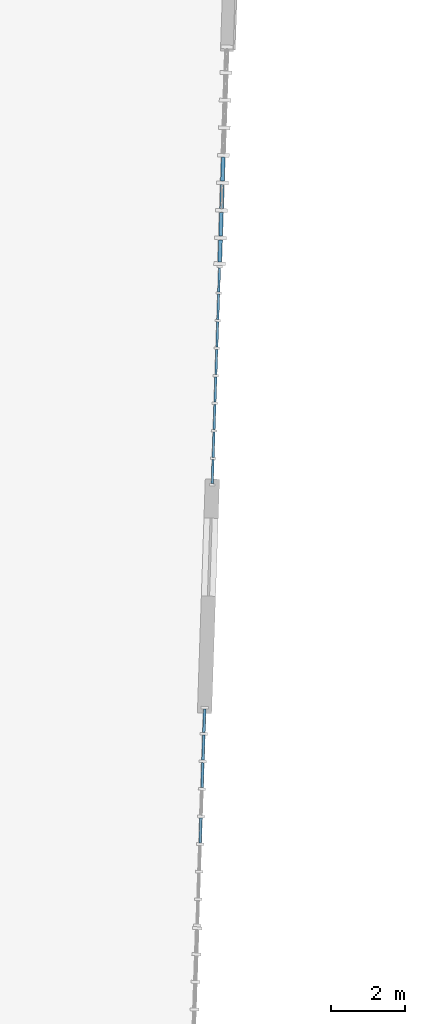
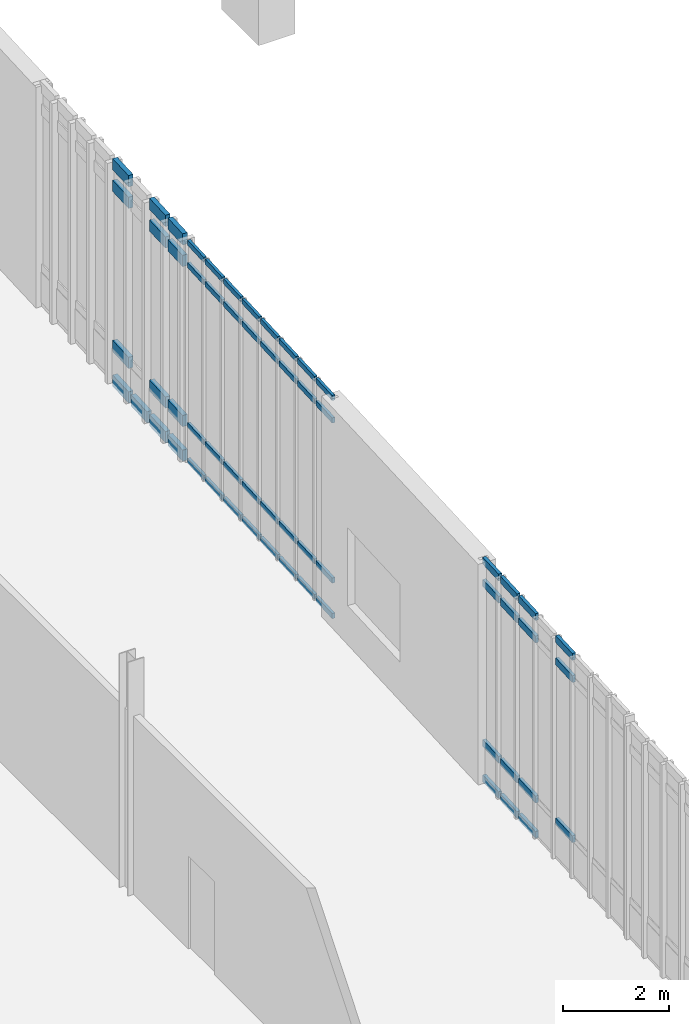
# One storey, part 62 of 127: 60 members, 3 elements without a shape of their own.
"""IFC4 building model written with IfcOpenShell, lengths in metres."""

from ifc_helpers import new_model, si_unit, direction, frame, origin, origin_2d, place, context, subcontext, project, spatial, rectangle, extrude, material, material_profile, profile_set, type_object, element, aggregate, save


model = new_model("IFC4")

# Units and contexts
model_context = context("Model", 3, precision=1e-05, world=origin(), true_north=direction((0.0, 1.0)))
body_context = subcontext(model_context, "Body", "Model", "MODEL_VIEW")
ifc_project = project(units=[si_unit("LENGTHUNIT", "METRE"), si_unit("AREAUNIT", "SQUARE_METRE"), si_unit("VOLUMEUNIT", "CUBIC_METRE"), si_unit("PLANEANGLEUNIT", "RADIAN"), si_unit("MASSUNIT", "GRAM", prefix="KILO")], contexts=[model_context])

# Site, building, storey
site_placement = place(None, origin())
site = spatial("IfcSite", under=ifc_project, at=site_placement, CompositionType="ELEMENT")
building_placement = place(site_placement, origin())
building = spatial("IfcBuilding", under=site, at=building_placement, Name="Larkvane Passage Sports Hall", CompositionType="ELEMENT")
storey_placement = place(building_placement, frame((0.0, 0.0, 5.39990234375)))
storey = spatial("IfcBuildingStorey", under=building, at=storey_placement, Name="L01", CompositionType="ELEMENT", Elevation=5.39990234375)

# Curtain wall, members
ifc_material_1 = material(Name="Thermally broken aluminium and low-E glazing", Category="aluminium")
curtain_wall_type_1 = type_object("IfcCurtainWallType", Name="CW-CLINIC", PredefinedType="USERDEFINED", material=ifc_material_1)
curtain_wall_1_placement = place(storey_placement, origin())
curtain_wall_1 = element("IfcCurtainWall", 1, at=curtain_wall_1_placement, inside=storey, type_object=curtain_wall_type_1, Name="Curtain wall CW5-L01-043", ObjectType="UNITISED CURTAIN WALL", PredefinedType="USERDEFINED")
ifc_material_2 = material(Name="Anodised aluminium 6063-T6", Category="aluminium")
ifc_material_profile_1 = material_profile(ifc_material_2, rectangle(XDim=0.10009765625, YDim=0.260009765625, at=origin_2d()), Name="ALU-TRN-100x260")
ifc_profile_set_1 = profile_set([ifc_material_profile_1], Name="Anodised aluminium 6063-T6")
member_type_1 = type_object("IfcMemberType", Name="CW-TRN-100x260", PredefinedType="USERDEFINED", material=ifc_profile_set_1)
member_1_placement = place(storey_placement, frame((101.6982421875, 90.25, 0.050048828125), z_axis=(-0.033466782751, -0.999439830331, 0.0), x_axis=(0.999439830331, -0.033466782751, 0.0)))
member_1 = element("IfcMember", 2, at=member_1_placement, type_object=member_type_1, Name="CW-05 transom 5.1", ObjectType="TRANSOM", PredefinedType="USERDEFINED", context=body_context, shape_type="SweptSolid", body=[
    extrude(rectangle(XDim=0.10009765625, YDim=0.260009765625, at=origin_2d()), origin(), (0.0, 0.0, 1.0), 0.641845703125),
])
member_2_placement = place(storey_placement, frame((101.6982421875, 90.25, 0.85009765625), z_axis=(-0.033466782751, -0.999439830331, 0.0), x_axis=(0.999439830331, -0.033466782751, 0.0)))
member_2 = element("IfcMember", 3, at=member_2_placement, type_object=member_type_1, Name="CW-05 transom 5.2", ObjectType="TRANSOM", PredefinedType="USERDEFINED", context=body_context, shape_type="SweptSolid", body=[
    extrude(rectangle(XDim=0.10009765625, YDim=0.260009765625, at=origin_2d()), origin(), (0.0, 0.0, 1.0), 0.641845703125),
])
member_3_placement = place(storey_placement, frame((101.6982421875, 90.25, 4.550048828125), z_axis=(-0.033466782751, -0.999439830331, 0.0), x_axis=(0.999439830331, -0.033466782751, 0.0)))
member_3 = element("IfcMember", 4, at=member_3_placement, type_object=member_type_1, Name="CW-05 transom 5.3", ObjectType="TRANSOM", PredefinedType="USERDEFINED", context=body_context, shape_type="SweptSolid", body=[
    extrude(rectangle(XDim=0.10009765625, YDim=0.260009765625, at=origin_2d()), origin(), (0.0, 0.0, 1.0), 0.641845703125),
])
member_4_placement = place(storey_placement, frame((101.6982421875, 90.25, 5.050048828125), z_axis=(-0.033466782751, -0.999439830331, 0.0), x_axis=(0.999439830331, -0.033466782751, 0.0)))
member_4 = element("IfcMember", 5, at=member_4_placement, type_object=member_type_1, Name="CW-05 transom 5.4", ObjectType="TRANSOM", PredefinedType="USERDEFINED", context=body_context, shape_type="SweptSolid", body=[
    extrude(rectangle(XDim=0.10009765625, YDim=0.260009765625, at=origin_2d()), origin(), (0.0, 0.0, 1.0), 0.641845703125),
])
member_5_placement = place(storey_placement, frame((101.67333984375, 89.50830078125, 0.050048828125), z_axis=(-0.03384665387, -0.999427037868, 0.0), x_axis=(0.999427037868, -0.03384665387, 0.0)))
member_5 = element("IfcMember", 6, at=member_5_placement, type_object=member_type_1, Name="CW-05 transom 6.1", ObjectType="TRANSOM", PredefinedType="USERDEFINED", context=body_context, shape_type="SweptSolid", body=[
    extrude(rectangle(XDim=0.10009765625, YDim=0.260009765625, at=origin_2d()), origin(), (0.0, 0.0, 1.0), 0.64208984375),
])
member_6_placement = place(storey_placement, frame((101.6484375, 88.7666015625, 0.050048828125), z_axis=(-0.03384665387, -0.999427037868, 0.0), x_axis=(0.999427037868, -0.03384665387, 0.0)))
member_6 = element("IfcMember", 7, at=member_6_placement, type_object=member_type_1, Name="CW-05 transom 7.1", ObjectType="TRANSOM", PredefinedType="USERDEFINED", context=body_context, shape_type="SweptSolid", body=[
    extrude(rectangle(XDim=0.10009765625, YDim=0.260009765625, at=origin_2d()), origin(), (0.0, 0.0, 1.0), 0.64208984375),
])
member_7_placement = place(storey_placement, frame((101.6484375, 88.7666015625, 0.85009765625), z_axis=(-0.03384665387, -0.999427037868, 0.0), x_axis=(0.999427037868, -0.03384665387, 0.0)))
member_7 = element("IfcMember", 8, at=member_7_placement, type_object=member_type_1, Name="CW-05 transom 7.2", ObjectType="TRANSOM", PredefinedType="USERDEFINED", context=body_context, shape_type="SweptSolid", body=[
    extrude(rectangle(XDim=0.10009765625, YDim=0.260009765625, at=origin_2d()), origin(), (0.0, 0.0, 1.0), 0.64208984375),
])
member_8_placement = place(storey_placement, frame((101.6484375, 88.7666015625, 4.550048828125), z_axis=(-0.03384665387, -0.999427037868, 0.0), x_axis=(0.999427037868, -0.03384665387, 0.0)))
member_8 = element("IfcMember", 9, at=member_8_placement, type_object=member_type_1, Name="CW-05 transom 7.3", ObjectType="TRANSOM", PredefinedType="USERDEFINED", context=body_context, shape_type="SweptSolid", body=[
    extrude(rectangle(XDim=0.10009765625, YDim=0.260009765625, at=origin_2d()), origin(), (0.0, 0.0, 1.0), 0.64208984375),
])
member_9_placement = place(storey_placement, frame((101.6484375, 88.7666015625, 5.050048828125), z_axis=(-0.03384665387, -0.999427037868, 0.0), x_axis=(0.999427037868, -0.03384665387, 0.0)))
member_9 = element("IfcMember", 10, at=member_9_placement, type_object=member_type_1, Name="CW-05 transom 7.4", ObjectType="TRANSOM", PredefinedType="USERDEFINED", context=body_context, shape_type="SweptSolid", body=[
    extrude(rectangle(XDim=0.10009765625, YDim=0.260009765625, at=origin_2d()), origin(), (0.0, 0.0, 1.0), 0.64208984375),
])
member_10_placement = place(storey_placement, frame((101.623291015625, 88.02490234375, 0.050048828125), z_axis=(-0.033822980942, -0.999427839296, 0.0), x_axis=(0.999427839296, -0.033822980942, 0.0)))
member_10 = element("IfcMember", 11, at=member_10_placement, type_object=member_type_1, Name="CW-05 transom 8.1", ObjectType="TRANSOM", PredefinedType="USERDEFINED", context=body_context, shape_type="SweptSolid", body=[
    extrude(rectangle(XDim=0.10009765625, YDim=0.260009765625, at=origin_2d()), origin(), (0.0, 0.0, 1.0), 0.591796875),
])
member_11_placement = place(storey_placement, frame((101.623291015625, 88.02490234375, 0.85009765625), z_axis=(-0.033822980942, -0.999427839296, 0.0), x_axis=(0.999427839296, -0.033822980942, 0.0)))
member_11 = element("IfcMember", 12, at=member_11_placement, type_object=member_type_1, Name="CW-05 transom 8.2", ObjectType="TRANSOM", PredefinedType="USERDEFINED", context=body_context, shape_type="SweptSolid", body=[
    extrude(rectangle(XDim=0.10009765625, YDim=0.260009765625, at=origin_2d()), origin(), (0.0, 0.0, 1.0), 0.591796875),
])
member_12_placement = place(storey_placement, frame((101.623291015625, 88.02490234375, 4.550048828125), z_axis=(-0.033822980942, -0.999427839296, 0.0), x_axis=(0.999427839296, -0.033822980942, 0.0)))
member_12 = element("IfcMember", 13, at=member_12_placement, type_object=member_type_1, Name="CW-05 transom 8.3", ObjectType="TRANSOM", PredefinedType="USERDEFINED", context=body_context, shape_type="SweptSolid", body=[
    extrude(rectangle(XDim=0.10009765625, YDim=0.260009765625, at=origin_2d()), origin(), (0.0, 0.0, 1.0), 0.591796875),
])
member_13_placement = place(storey_placement, frame((101.623291015625, 88.02490234375, 5.050048828125), z_axis=(-0.033822980942, -0.999427839296, 0.0), x_axis=(0.999427839296, -0.033822980942, 0.0)))
member_13 = element("IfcMember", 14, at=member_13_placement, type_object=member_type_1, Name="CW-05 transom 8.4", ObjectType="TRANSOM", PredefinedType="USERDEFINED", context=body_context, shape_type="SweptSolid", body=[
    extrude(rectangle(XDim=0.10009765625, YDim=0.260009765625, at=origin_2d()), origin(), (0.0, 0.0, 1.0), 0.591796875),
])
aggregate(curtain_wall_1, [member_1, member_2, member_3, member_4, member_5, member_6, member_7, member_8, member_9, member_10, member_11, member_12, member_13])

curtain_wall_type_2 = type_object("IfcCurtainWallType", Name="CW-UNIT-COURT", PredefinedType="USERDEFINED", material=ifc_material_1)
curtain_wall_2_placement = place(storey_placement, origin())
curtain_wall_2 = element("IfcCurtainWall", 15, at=curtain_wall_2_placement, inside=storey, type_object=curtain_wall_type_2, Name="Curtain wall CW5-L01-044", ObjectType="UNITISED CURTAIN WALL", PredefinedType="USERDEFINED")
ifc_material_profile_2 = material_profile(ifc_material_2, rectangle(XDim=0.06005859375, YDim=0.1201171875, at=origin_2d()), Name="ALU-TRN-60x120")
ifc_profile_set_2 = profile_set([ifc_material_profile_2], Name="Anodised aluminium 6063-T6")
member_type_2 = type_object("IfcMemberType", Name="CW-TRN-60x120", PredefinedType="USERDEFINED", material=ifc_profile_set_2)
member_14_placement = place(storey_placement, frame((101.597900390625, 87.2734375, 0.030029296875), z_axis=(-0.033688731694, -0.999432373579, 0.0), x_axis=(0.999432373579, -0.033688731694, 0.0)))
member_14 = element("IfcMember", 16, at=member_14_placement, type_object=member_type_2, Name="CW-01 transom 1.1", ObjectType="TRANSOM", PredefinedType="USERDEFINED", context=body_context, shape_type="SweptSolid", body=[
    extrude(rectangle(XDim=0.06005859375, YDim=0.1201171875, at=origin_2d()), origin(), (0.0, 0.0, 1.0), 0.65234375),
])
member_15_placement = place(storey_placement, frame((101.597900390625, 87.2734375, 0.85009765625), z_axis=(-0.033688731694, -0.999432373579, 0.0), x_axis=(0.999432373579, -0.033688731694, 0.0)))
member_15 = element("IfcMember", 17, at=member_15_placement, type_object=member_type_2, Name="CW-01 transom 1.2", ObjectType="TRANSOM", PredefinedType="USERDEFINED", context=body_context, shape_type="SweptSolid", body=[
    extrude(rectangle(XDim=0.06005859375, YDim=0.1201171875, at=origin_2d()), origin(), (0.0, 0.0, 1.0), 0.65234375),
])
member_16_placement = place(storey_placement, frame((101.597900390625, 87.2734375, 4.550048828125), z_axis=(-0.033688731694, -0.999432373579, 0.0), x_axis=(0.999432373579, -0.033688731694, 0.0)))
member_16 = element("IfcMember", 18, at=member_16_placement, type_object=member_type_2, Name="CW-01 transom 1.3", ObjectType="TRANSOM", PredefinedType="USERDEFINED", context=body_context, shape_type="SweptSolid", body=[
    extrude(rectangle(XDim=0.06005859375, YDim=0.1201171875, at=origin_2d()), origin(), (0.0, 0.0, 1.0), 0.65234375),
])
member_17_placement = place(storey_placement, frame((101.597900390625, 87.2734375, 5.070068359375), z_axis=(-0.033688731694, -0.999432373579, 0.0), x_axis=(0.999432373579, -0.033688731694, 0.0)))
member_17 = element("IfcMember", 19, at=member_17_placement, type_object=member_type_2, Name="CW-01 transom 1.4", ObjectType="TRANSOM", PredefinedType="USERDEFINED", context=body_context, shape_type="SweptSolid", body=[
    extrude(rectangle(XDim=0.06005859375, YDim=0.1201171875, at=origin_2d()), origin(), (0.0, 0.0, 1.0), 0.65234375),
])
member_18_placement = place(storey_placement, frame((101.573974609375, 86.561767578125, 0.030029296875), z_axis=(-0.033636522884, -0.999434132061, 0.0), x_axis=(0.999434132061, -0.033636522884, 0.0)))
member_18 = element("IfcMember", 20, at=member_18_placement, type_object=member_type_2, Name="CW-01 transom 2.1", ObjectType="TRANSOM", PredefinedType="USERDEFINED", context=body_context, shape_type="SweptSolid", body=[
    extrude(rectangle(XDim=0.06005859375, YDim=0.1201171875, at=origin_2d()), origin(), (0.0, 0.0, 1.0), 0.682373046875),
])
member_19_placement = place(storey_placement, frame((101.573974609375, 86.561767578125, 0.85009765625), z_axis=(-0.033636522884, -0.999434132061, 0.0), x_axis=(0.999434132061, -0.033636522884, 0.0)))
member_19 = element("IfcMember", 21, at=member_19_placement, type_object=member_type_2, Name="CW-01 transom 2.2", ObjectType="TRANSOM", PredefinedType="USERDEFINED", context=body_context, shape_type="SweptSolid", body=[
    extrude(rectangle(XDim=0.06005859375, YDim=0.1201171875, at=origin_2d()), origin(), (0.0, 0.0, 1.0), 0.682373046875),
])
member_20_placement = place(storey_placement, frame((101.573974609375, 86.561767578125, 4.550048828125), z_axis=(-0.033636522884, -0.999434132061, 0.0), x_axis=(0.999434132061, -0.033636522884, 0.0)))
member_20 = element("IfcMember", 22, at=member_20_placement, type_object=member_type_2, Name="CW-01 transom 2.3", ObjectType="TRANSOM", PredefinedType="USERDEFINED", context=body_context, shape_type="SweptSolid", body=[
    extrude(rectangle(XDim=0.06005859375, YDim=0.1201171875, at=origin_2d()), origin(), (0.0, 0.0, 1.0), 0.682373046875),
])
member_21_placement = place(storey_placement, frame((101.573974609375, 86.561767578125, 5.070068359375), z_axis=(-0.033636522884, -0.999434132061, 0.0), x_axis=(0.999434132061, -0.033636522884, 0.0)))
member_21 = element("IfcMember", 23, at=member_21_placement, type_object=member_type_2, Name="CW-01 transom 2.4", ObjectType="TRANSOM", PredefinedType="USERDEFINED", context=body_context, shape_type="SweptSolid", body=[
    extrude(rectangle(XDim=0.06005859375, YDim=0.1201171875, at=origin_2d()), origin(), (0.0, 0.0, 1.0), 0.682373046875),
])
member_22_placement = place(storey_placement, frame((101.549072265625, 85.820068359375, 0.030029296875), z_axis=(-0.033636522884, -0.999434132061, 0.0), x_axis=(0.999434132061, -0.033636522884, 0.0)))
member_22 = element("IfcMember", 24, at=member_22_placement, type_object=member_type_2, Name="CW-01 transom 3.1", ObjectType="TRANSOM", PredefinedType="USERDEFINED", context=body_context, shape_type="SweptSolid", body=[
    extrude(rectangle(XDim=0.06005859375, YDim=0.1201171875, at=origin_2d()), origin(), (0.0, 0.0, 1.0), 0.682373046875),
])
member_23_placement = place(storey_placement, frame((101.549072265625, 85.820068359375, 0.85009765625), z_axis=(-0.033636522884, -0.999434132061, 0.0), x_axis=(0.999434132061, -0.033636522884, 0.0)))
member_23 = element("IfcMember", 25, at=member_23_placement, type_object=member_type_2, Name="CW-01 transom 3.2", ObjectType="TRANSOM", PredefinedType="USERDEFINED", context=body_context, shape_type="SweptSolid", body=[
    extrude(rectangle(XDim=0.06005859375, YDim=0.1201171875, at=origin_2d()), origin(), (0.0, 0.0, 1.0), 0.682373046875),
])
member_24_placement = place(storey_placement, frame((101.549072265625, 85.820068359375, 4.550048828125), z_axis=(-0.033636522884, -0.999434132061, 0.0), x_axis=(0.999434132061, -0.033636522884, 0.0)))
member_24 = element("IfcMember", 26, at=member_24_placement, type_object=member_type_2, Name="CW-01 transom 3.3", ObjectType="TRANSOM", PredefinedType="USERDEFINED", context=body_context, shape_type="SweptSolid", body=[
    extrude(rectangle(XDim=0.06005859375, YDim=0.1201171875, at=origin_2d()), origin(), (0.0, 0.0, 1.0), 0.682373046875),
])
member_25_placement = place(storey_placement, frame((101.549072265625, 85.820068359375, 5.070068359375), z_axis=(-0.033636522884, -0.999434132061, 0.0), x_axis=(0.999434132061, -0.033636522884, 0.0)))
member_25 = element("IfcMember", 27, at=member_25_placement, type_object=member_type_2, Name="CW-01 transom 3.4", ObjectType="TRANSOM", PredefinedType="USERDEFINED", context=body_context, shape_type="SweptSolid", body=[
    extrude(rectangle(XDim=0.06005859375, YDim=0.1201171875, at=origin_2d()), origin(), (0.0, 0.0, 1.0), 0.682373046875),
])
member_26_placement = place(storey_placement, frame((101.52392578125, 85.078369140625, 0.030029296875), z_axis=(-0.033648556711, -0.999433726983, 0.0), x_axis=(0.999433726983, -0.033648556711, 0.0)))
member_26 = element("IfcMember", 28, at=member_26_placement, type_object=member_type_2, Name="CW-01 transom 4.1", ObjectType="TRANSOM", PredefinedType="USERDEFINED", context=body_context, shape_type="SweptSolid", body=[
    extrude(rectangle(XDim=0.06005859375, YDim=0.1201171875, at=origin_2d()), origin(), (0.0, 0.0, 1.0), 0.68212890625),
])
member_27_placement = place(storey_placement, frame((101.52392578125, 85.078369140625, 0.85009765625), z_axis=(-0.033648556711, -0.999433726983, 0.0), x_axis=(0.999433726983, -0.033648556711, 0.0)))
member_27 = element("IfcMember", 29, at=member_27_placement, type_object=member_type_2, Name="CW-01 transom 4.2", ObjectType="TRANSOM", PredefinedType="USERDEFINED", context=body_context, shape_type="SweptSolid", body=[
    extrude(rectangle(XDim=0.06005859375, YDim=0.1201171875, at=origin_2d()), origin(), (0.0, 0.0, 1.0), 0.68212890625),
])
member_28_placement = place(storey_placement, frame((101.52392578125, 85.078369140625, 4.550048828125), z_axis=(-0.033648556711, -0.999433726983, 0.0), x_axis=(0.999433726983, -0.033648556711, 0.0)))
member_28 = element("IfcMember", 30, at=member_28_placement, type_object=member_type_2, Name="CW-01 transom 4.3", ObjectType="TRANSOM", PredefinedType="USERDEFINED", context=body_context, shape_type="SweptSolid", body=[
    extrude(rectangle(XDim=0.06005859375, YDim=0.1201171875, at=origin_2d()), origin(), (0.0, 0.0, 1.0), 0.68212890625),
])
member_29_placement = place(storey_placement, frame((101.52392578125, 85.078369140625, 5.070068359375), z_axis=(-0.033648556711, -0.999433726983, 0.0), x_axis=(0.999433726983, -0.033648556711, 0.0)))
member_29 = element("IfcMember", 31, at=member_29_placement, type_object=member_type_2, Name="CW-01 transom 4.4", ObjectType="TRANSOM", PredefinedType="USERDEFINED", context=body_context, shape_type="SweptSolid", body=[
    extrude(rectangle(XDim=0.06005859375, YDim=0.1201171875, at=origin_2d()), origin(), (0.0, 0.0, 1.0), 0.68212890625),
])
member_30_placement = place(storey_placement, frame((101.4990234375, 84.336669921875, 0.030029296875), z_axis=(-0.033648556711, -0.999433726983, 0.0), x_axis=(0.999433726983, -0.033648556711, 0.0)))
member_30 = element("IfcMember", 32, at=member_30_placement, type_object=member_type_2, Name="CW-01 transom 5.1", ObjectType="TRANSOM", PredefinedType="USERDEFINED", context=body_context, shape_type="SweptSolid", body=[
    extrude(rectangle(XDim=0.06005859375, YDim=0.1201171875, at=origin_2d()), origin(), (0.0, 0.0, 1.0), 0.68212890625),
])
member_31_placement = place(storey_placement, frame((101.4990234375, 84.336669921875, 0.85009765625), z_axis=(-0.033648556711, -0.999433726983, 0.0), x_axis=(0.999433726983, -0.033648556711, 0.0)))
member_31 = element("IfcMember", 33, at=member_31_placement, type_object=member_type_2, Name="CW-01 transom 5.2", ObjectType="TRANSOM", PredefinedType="USERDEFINED", context=body_context, shape_type="SweptSolid", body=[
    extrude(rectangle(XDim=0.06005859375, YDim=0.1201171875, at=origin_2d()), origin(), (0.0, 0.0, 1.0), 0.68212890625),
])
member_32_placement = place(storey_placement, frame((101.4990234375, 84.336669921875, 4.550048828125), z_axis=(-0.033648556711, -0.999433726983, 0.0), x_axis=(0.999433726983, -0.033648556711, 0.0)))
member_32 = element("IfcMember", 34, at=member_32_placement, type_object=member_type_2, Name="CW-01 transom 5.3", ObjectType="TRANSOM", PredefinedType="USERDEFINED", context=body_context, shape_type="SweptSolid", body=[
    extrude(rectangle(XDim=0.06005859375, YDim=0.1201171875, at=origin_2d()), origin(), (0.0, 0.0, 1.0), 0.68212890625),
])
member_33_placement = place(storey_placement, frame((101.4990234375, 84.336669921875, 5.070068359375), z_axis=(-0.033648556711, -0.999433726983, 0.0), x_axis=(0.999433726983, -0.033648556711, 0.0)))
member_33 = element("IfcMember", 35, at=member_33_placement, type_object=member_type_2, Name="CW-01 transom 5.4", ObjectType="TRANSOM", PredefinedType="USERDEFINED", context=body_context, shape_type="SweptSolid", body=[
    extrude(rectangle(XDim=0.06005859375, YDim=0.1201171875, at=origin_2d()), origin(), (0.0, 0.0, 1.0), 0.68212890625),
])
member_34_placement = place(storey_placement, frame((101.473876953125, 83.594970703125, 0.030029296875), z_axis=(-0.033648556711, -0.999433726983, 0.0), x_axis=(0.999433726983, -0.033648556711, 0.0)))
member_34 = element("IfcMember", 36, at=member_34_placement, type_object=member_type_2, Name="CW-01 transom 6.1", ObjectType="TRANSOM", PredefinedType="USERDEFINED", context=body_context, shape_type="SweptSolid", body=[
    extrude(rectangle(XDim=0.06005859375, YDim=0.1201171875, at=origin_2d()), origin(), (0.0, 0.0, 1.0), 0.68212890625),
])
member_35_placement = place(storey_placement, frame((101.473876953125, 83.594970703125, 0.85009765625), z_axis=(-0.033648556711, -0.999433726983, 0.0), x_axis=(0.999433726983, -0.033648556711, 0.0)))
member_35 = element("IfcMember", 37, at=member_35_placement, type_object=member_type_2, Name="CW-01 transom 6.2", ObjectType="TRANSOM", PredefinedType="USERDEFINED", context=body_context, shape_type="SweptSolid", body=[
    extrude(rectangle(XDim=0.06005859375, YDim=0.1201171875, at=origin_2d()), origin(), (0.0, 0.0, 1.0), 0.68212890625),
])
member_36_placement = place(storey_placement, frame((101.473876953125, 83.594970703125, 4.550048828125), z_axis=(-0.033648556711, -0.999433726983, 0.0), x_axis=(0.999433726983, -0.033648556711, 0.0)))
member_36 = element("IfcMember", 38, at=member_36_placement, type_object=member_type_2, Name="CW-01 transom 6.3", ObjectType="TRANSOM", PredefinedType="USERDEFINED", context=body_context, shape_type="SweptSolid", body=[
    extrude(rectangle(XDim=0.06005859375, YDim=0.1201171875, at=origin_2d()), origin(), (0.0, 0.0, 1.0), 0.68212890625),
])
member_37_placement = place(storey_placement, frame((101.473876953125, 83.594970703125, 5.070068359375), z_axis=(-0.033648556711, -0.999433726983, 0.0), x_axis=(0.999433726983, -0.033648556711, 0.0)))
member_37 = element("IfcMember", 39, at=member_37_placement, type_object=member_type_2, Name="CW-01 transom 6.4", ObjectType="TRANSOM", PredefinedType="USERDEFINED", context=body_context, shape_type="SweptSolid", body=[
    extrude(rectangle(XDim=0.06005859375, YDim=0.1201171875, at=origin_2d()), origin(), (0.0, 0.0, 1.0), 0.68212890625),
])
member_38_placement = place(storey_placement, frame((101.448974609375, 82.853271484375, 0.030029296875), z_axis=(-0.033648556711, -0.999433726983, 0.0), x_axis=(0.999433726983, -0.033648556711, 0.0)))
member_38 = element("IfcMember", 40, at=member_38_placement, type_object=member_type_2, Name="CW-01 transom 7.1", ObjectType="TRANSOM", PredefinedType="USERDEFINED", context=body_context, shape_type="SweptSolid", body=[
    extrude(rectangle(XDim=0.06005859375, YDim=0.1201171875, at=origin_2d()), origin(), (0.0, 0.0, 1.0), 0.68212890625),
])
member_39_placement = place(storey_placement, frame((101.448974609375, 82.853271484375, 0.85009765625), z_axis=(-0.033648556711, -0.999433726983, 0.0), x_axis=(0.999433726983, -0.033648556711, 0.0)))
member_39 = element("IfcMember", 41, at=member_39_placement, type_object=member_type_2, Name="CW-01 transom 7.2", ObjectType="TRANSOM", PredefinedType="USERDEFINED", context=body_context, shape_type="SweptSolid", body=[
    extrude(rectangle(XDim=0.06005859375, YDim=0.1201171875, at=origin_2d()), origin(), (0.0, 0.0, 1.0), 0.68212890625),
])
member_40_placement = place(storey_placement, frame((101.448974609375, 82.853271484375, 4.550048828125), z_axis=(-0.033648556711, -0.999433726983, 0.0), x_axis=(0.999433726983, -0.033648556711, 0.0)))
member_40 = element("IfcMember", 42, at=member_40_placement, type_object=member_type_2, Name="CW-01 transom 7.3", ObjectType="TRANSOM", PredefinedType="USERDEFINED", context=body_context, shape_type="SweptSolid", body=[
    extrude(rectangle(XDim=0.06005859375, YDim=0.1201171875, at=origin_2d()), origin(), (0.0, 0.0, 1.0), 0.68212890625),
])
member_41_placement = place(storey_placement, frame((101.448974609375, 82.853271484375, 5.070068359375), z_axis=(-0.033648556711, -0.999433726983, 0.0), x_axis=(0.999433726983, -0.033648556711, 0.0)))
member_41 = element("IfcMember", 43, at=member_41_placement, type_object=member_type_2, Name="CW-01 transom 7.4", ObjectType="TRANSOM", PredefinedType="USERDEFINED", context=body_context, shape_type="SweptSolid", body=[
    extrude(rectangle(XDim=0.06005859375, YDim=0.1201171875, at=origin_2d()), origin(), (0.0, 0.0, 1.0), 0.68212890625),
])
member_42_placement = place(storey_placement, frame((101.424072265625, 82.111572265625, 0.030029296875), z_axis=(-0.03370133959, -0.999431948514, 0.0), x_axis=(0.999431948514, -0.03370133959, 0.0)))
member_42 = element("IfcMember", 44, at=member_42_placement, type_object=member_type_2, Name="CW-01 transom 8.1", ObjectType="TRANSOM", PredefinedType="USERDEFINED", context=body_context, shape_type="SweptSolid", body=[
    extrude(rectangle(XDim=0.06005859375, YDim=0.1201171875, at=origin_2d()), origin(), (0.0, 0.0, 1.0), 0.652099609375),
])
member_43_placement = place(storey_placement, frame((101.424072265625, 82.111572265625, 0.85009765625), z_axis=(-0.03370133959, -0.999431948514, 0.0), x_axis=(0.999431948514, -0.03370133959, 0.0)))
member_43 = element("IfcMember", 45, at=member_43_placement, type_object=member_type_2, Name="CW-01 transom 8.2", ObjectType="TRANSOM", PredefinedType="USERDEFINED", context=body_context, shape_type="SweptSolid", body=[
    extrude(rectangle(XDim=0.06005859375, YDim=0.1201171875, at=origin_2d()), origin(), (0.0, 0.0, 1.0), 0.652099609375),
])
member_44_placement = place(storey_placement, frame((101.424072265625, 82.111572265625, 4.550048828125), z_axis=(-0.03370133959, -0.999431948514, 0.0), x_axis=(0.999431948514, -0.03370133959, 0.0)))
member_44 = element("IfcMember", 46, at=member_44_placement, type_object=member_type_2, Name="CW-01 transom 8.3", ObjectType="TRANSOM", PredefinedType="USERDEFINED", context=body_context, shape_type="SweptSolid", body=[
    extrude(rectangle(XDim=0.06005859375, YDim=0.1201171875, at=origin_2d()), origin(), (0.0, 0.0, 1.0), 0.652099609375),
])
member_45_placement = place(storey_placement, frame((101.424072265625, 82.111572265625, 5.070068359375), z_axis=(-0.03370133959, -0.999431948514, 0.0), x_axis=(0.999431948514, -0.03370133959, 0.0)))
member_45 = element("IfcMember", 47, at=member_45_placement, type_object=member_type_2, Name="CW-01 transom 8.4", ObjectType="TRANSOM", PredefinedType="USERDEFINED", context=body_context, shape_type="SweptSolid", body=[
    extrude(rectangle(XDim=0.06005859375, YDim=0.1201171875, at=origin_2d()), origin(), (0.0, 0.0, 1.0), 0.652099609375),
])
aggregate(curtain_wall_2, [member_14, member_15, member_16, member_17, member_18, member_19, member_20, member_21, member_22, member_23, member_24, member_25, member_26, member_27, member_28, member_29, member_30, member_31, member_32, member_33, member_34, member_35, member_36, member_37, member_38, member_39, member_40, member_41, member_42, member_43, member_44, member_45])

curtain_wall_type_3 = type_object("IfcCurtainWallType", Name="CW-UNIT-VEIL", PredefinedType="USERDEFINED", material=ifc_material_1)
curtain_wall_3_placement = place(storey_placement, origin())
curtain_wall_3 = element("IfcCurtainWall", 48, at=curtain_wall_3_placement, inside=storey, type_object=curtain_wall_type_3, Name="Curtain wall CW5-L01-045", ObjectType="UNITISED CURTAIN WALL", PredefinedType="USERDEFINED")
ifc_material_profile_3 = material_profile(ifc_material_2, rectangle(XDim=0.070068359375, YDim=0.159912109375, at=origin_2d()), Name="ALU-TRN-70x160")
ifc_profile_set_3 = profile_set([ifc_material_profile_3], Name="Anodised aluminium 6063-T6")
member_type_3 = type_object("IfcMemberType", Name="CW-TRN-70x160", PredefinedType="USERDEFINED", material=ifc_profile_set_3)
member_46_placement = place(storey_placement, frame((101.19775390625, 75.396728515625, 0.03515625), z_axis=(-0.033723139095, -0.999431213186, 0.0), x_axis=(0.999431213186, -0.033723139095, 0.0)))
member_46 = element("IfcMember", 49, at=member_46_placement, type_object=member_type_3, Name="CW-02 transom 1.1", ObjectType="TRANSOM", PredefinedType="USERDEFINED", context=body_context, shape_type="SweptSolid", body=[
    extrude(rectangle(XDim=0.070068359375, YDim=0.159912109375, at=origin_2d()), origin(), (0.0, 0.0, 1.0), 0.636962890625),
])
member_47_placement = place(storey_placement, frame((101.19775390625, 75.396728515625, 0.85009765625), z_axis=(-0.033723139095, -0.999431213186, 0.0), x_axis=(0.999431213186, -0.033723139095, 0.0)))
member_47 = element("IfcMember", 50, at=member_47_placement, type_object=member_type_3, Name="CW-02 transom 1.2", ObjectType="TRANSOM", PredefinedType="USERDEFINED", context=body_context, shape_type="SweptSolid", body=[
    extrude(rectangle(XDim=0.070068359375, YDim=0.159912109375, at=origin_2d()), origin(), (0.0, 0.0, 1.0), 0.636962890625),
])
member_48_placement = place(storey_placement, frame((101.19775390625, 75.396728515625, 4.550048828125), z_axis=(-0.033723139095, -0.999431213186, 0.0), x_axis=(0.999431213186, -0.033723139095, 0.0)))
member_48 = element("IfcMember", 51, at=member_48_placement, type_object=member_type_3, Name="CW-02 transom 1.3", ObjectType="TRANSOM", PredefinedType="USERDEFINED", context=body_context, shape_type="SweptSolid", body=[
    extrude(rectangle(XDim=0.070068359375, YDim=0.159912109375, at=origin_2d()), origin(), (0.0, 0.0, 1.0), 0.636962890625),
])
member_49_placement = place(storey_placement, frame((101.19775390625, 75.396728515625, 5.065185546875), z_axis=(-0.033723139095, -0.999431213186, 0.0), x_axis=(0.999431213186, -0.033723139095, 0.0)))
member_49 = element("IfcMember", 52, at=member_49_placement, type_object=member_type_3, Name="CW-02 transom 1.4", ObjectType="TRANSOM", PredefinedType="USERDEFINED", context=body_context, shape_type="SweptSolid", body=[
    extrude(rectangle(XDim=0.070068359375, YDim=0.159912109375, at=origin_2d()), origin(), (0.0, 0.0, 1.0), 0.636962890625),
])
member_50_placement = place(storey_placement, frame((101.173828125, 74.68994140625, 0.03515625), z_axis=(-0.03378658798, -0.999429070256, 0.0), x_axis=(0.999429070256, -0.03378658798, 0.0)))
member_50 = element("IfcMember", 53, at=member_50_placement, type_object=member_type_3, Name="CW-02 transom 2.1", ObjectType="TRANSOM", PredefinedType="USERDEFINED", context=body_context, shape_type="SweptSolid", body=[
    extrude(rectangle(XDim=0.070068359375, YDim=0.159912109375, at=origin_2d()), origin(), (0.0, 0.0, 1.0), 0.672119140625),
])
member_51_placement = place(storey_placement, frame((101.173828125, 74.68994140625, 0.85009765625), z_axis=(-0.03378658798, -0.999429070256, 0.0), x_axis=(0.999429070256, -0.03378658798, 0.0)))
member_51 = element("IfcMember", 54, at=member_51_placement, type_object=member_type_3, Name="CW-02 transom 2.2", ObjectType="TRANSOM", PredefinedType="USERDEFINED", context=body_context, shape_type="SweptSolid", body=[
    extrude(rectangle(XDim=0.070068359375, YDim=0.159912109375, at=origin_2d()), origin(), (0.0, 0.0, 1.0), 0.672119140625),
])
member_52_placement = place(storey_placement, frame((101.173828125, 74.68994140625, 4.550048828125), z_axis=(-0.03378658798, -0.999429070256, 0.0), x_axis=(0.999429070256, -0.03378658798, 0.0)))
member_52 = element("IfcMember", 55, at=member_52_placement, type_object=member_type_3, Name="CW-02 transom 2.3", ObjectType="TRANSOM", PredefinedType="USERDEFINED", context=body_context, shape_type="SweptSolid", body=[
    extrude(rectangle(XDim=0.070068359375, YDim=0.159912109375, at=origin_2d()), origin(), (0.0, 0.0, 1.0), 0.672119140625),
])
member_53_placement = place(storey_placement, frame((101.173828125, 74.68994140625, 5.065185546875), z_axis=(-0.03378658798, -0.999429070256, 0.0), x_axis=(0.999429070256, -0.03378658798, 0.0)))
member_53 = element("IfcMember", 56, at=member_53_placement, type_object=member_type_3, Name="CW-02 transom 2.4", ObjectType="TRANSOM", PredefinedType="USERDEFINED", context=body_context, shape_type="SweptSolid", body=[
    extrude(rectangle(XDim=0.070068359375, YDim=0.159912109375, at=origin_2d()), origin(), (0.0, 0.0, 1.0), 0.672119140625),
])
member_54_placement = place(storey_placement, frame((101.14892578125, 73.948486328125, 0.03515625), z_axis=(-0.033774324884, -0.999429484745, 0.0), x_axis=(0.999429484745, -0.033774324884, 0.0)))
member_54 = element("IfcMember", 57, at=member_54_placement, type_object=member_type_3, Name="CW-02 transom 3.1", ObjectType="TRANSOM", PredefinedType="USERDEFINED", context=body_context, shape_type="SweptSolid", body=[
    extrude(rectangle(XDim=0.070068359375, YDim=0.159912109375, at=origin_2d()), origin(), (0.0, 0.0, 1.0), 0.67236328125),
])
member_55_placement = place(storey_placement, frame((101.14892578125, 73.948486328125, 0.85009765625), z_axis=(-0.033774324884, -0.999429484745, 0.0), x_axis=(0.999429484745, -0.033774324884, 0.0)))
member_55 = element("IfcMember", 58, at=member_55_placement, type_object=member_type_3, Name="CW-02 transom 3.2", ObjectType="TRANSOM", PredefinedType="USERDEFINED", context=body_context, shape_type="SweptSolid", body=[
    extrude(rectangle(XDim=0.070068359375, YDim=0.159912109375, at=origin_2d()), origin(), (0.0, 0.0, 1.0), 0.67236328125),
])
member_56_placement = place(storey_placement, frame((101.14892578125, 73.948486328125, 4.550048828125), z_axis=(-0.033774324884, -0.999429484745, 0.0), x_axis=(0.999429484745, -0.033774324884, 0.0)))
member_56 = element("IfcMember", 59, at=member_56_placement, type_object=member_type_3, Name="CW-02 transom 3.3", ObjectType="TRANSOM", PredefinedType="USERDEFINED", context=body_context, shape_type="SweptSolid", body=[
    extrude(rectangle(XDim=0.070068359375, YDim=0.159912109375, at=origin_2d()), origin(), (0.0, 0.0, 1.0), 0.67236328125),
])
member_57_placement = place(storey_placement, frame((101.14892578125, 73.948486328125, 5.065185546875), z_axis=(-0.033774324884, -0.999429484745, 0.0), x_axis=(0.999429484745, -0.033774324884, 0.0)))
member_57 = element("IfcMember", 60, at=member_57_placement, type_object=member_type_3, Name="CW-02 transom 3.4", ObjectType="TRANSOM", PredefinedType="USERDEFINED", context=body_context, shape_type="SweptSolid", body=[
    extrude(rectangle(XDim=0.070068359375, YDim=0.159912109375, at=origin_2d()), origin(), (0.0, 0.0, 1.0), 0.67236328125),
])
member_58_placement = place(storey_placement, frame((101.098876953125, 72.465087890625, 0.85009765625), z_axis=(-0.033774324884, -0.999429484745, 0.0), x_axis=(0.999429484745, -0.033774324884, 0.0)))
member_58 = element("IfcMember", 61, at=member_58_placement, type_object=member_type_3, Name="CW-02 transom 5.2", ObjectType="TRANSOM", PredefinedType="USERDEFINED", context=body_context, shape_type="SweptSolid", body=[
    extrude(rectangle(XDim=0.070068359375, YDim=0.159912109375, at=origin_2d()), origin(), (0.0, 0.0, 1.0), 0.67236328125),
])
member_59_placement = place(storey_placement, frame((101.098876953125, 72.465087890625, 4.550048828125), z_axis=(-0.033774324884, -0.999429484745, 0.0), x_axis=(0.999429484745, -0.033774324884, 0.0)))
member_59 = element("IfcMember", 62, at=member_59_placement, type_object=member_type_3, Name="CW-02 transom 5.3", ObjectType="TRANSOM", PredefinedType="USERDEFINED", context=body_context, shape_type="SweptSolid", body=[
    extrude(rectangle(XDim=0.070068359375, YDim=0.159912109375, at=origin_2d()), origin(), (0.0, 0.0, 1.0), 0.67236328125),
])
member_60_placement = place(storey_placement, frame((101.098876953125, 72.465087890625, 5.065185546875), z_axis=(-0.033774324884, -0.999429484745, 0.0), x_axis=(0.999429484745, -0.033774324884, 0.0)))
member_60 = element("IfcMember", 63, at=member_60_placement, type_object=member_type_3, Name="CW-02 transom 5.4", ObjectType="TRANSOM", PredefinedType="USERDEFINED", context=body_context, shape_type="SweptSolid", body=[
    extrude(rectangle(XDim=0.070068359375, YDim=0.159912109375, at=origin_2d()), origin(), (0.0, 0.0, 1.0), 0.67236328125),
])
aggregate(curtain_wall_3, [member_46, member_47, member_48, member_49, member_50, member_51, member_52, member_53, member_54, member_55, member_56, member_57, member_58, member_59, member_60])

save(model, "model.ifc")
